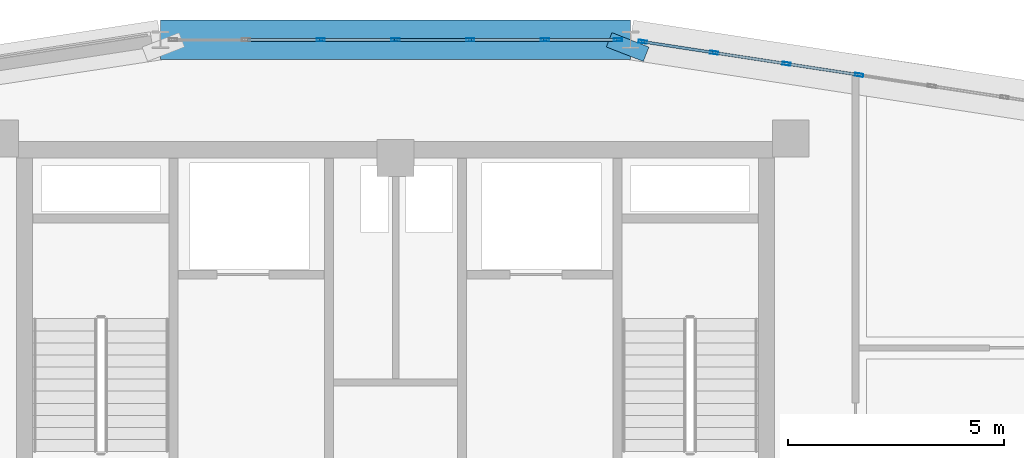
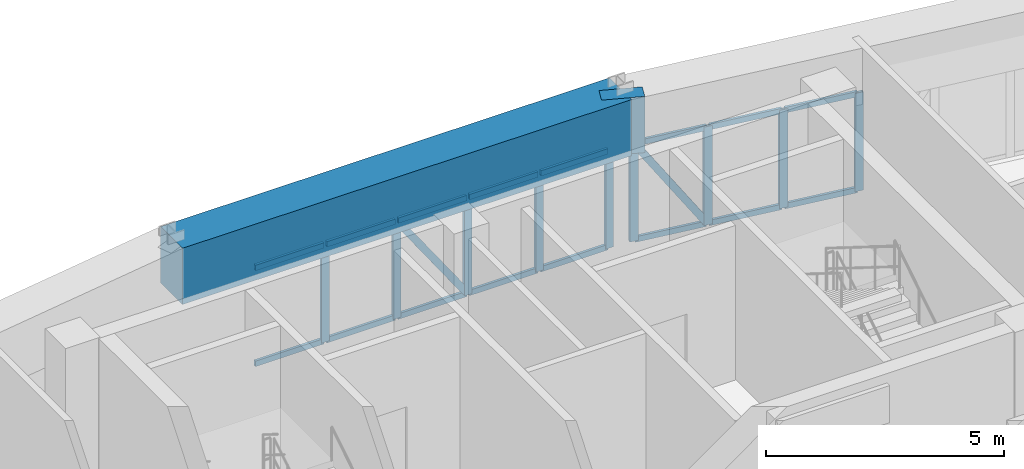
# One storey, part 9 of 16: 27 members, 2 beams, 2 elements without a shape of their own.
"""IFC4 building model written with IfcOpenShell, lengths in metres."""

from ifc_helpers import new_model, si_unit, derived_unit, direction, frame, origin, origin_2d, place, context, subcontext, project, spatial, rectangle, hollow_rectangle, extrude, source, transform, mapped, material, layer, layer_set, material_profile, profile_set, type_object, element, aggregate, save


model = new_model("IFC4")

# Units and contexts
model_context = context("Model", 3, precision=1e-05, world=origin(), true_north=direction((0.0, 1.0)))
body_context = subcontext(model_context, "Body", "Model", "MODEL_VIEW")
ifc_project = project(units=[si_unit("LENGTHUNIT", "METRE"), si_unit("AREAUNIT", "SQUARE_METRE"), si_unit("VOLUMEUNIT", "CUBIC_METRE"), si_unit("PLANEANGLEUNIT", "RADIAN"), si_unit("MASSUNIT", "GRAM", prefix="KILO"), derived_unit("THERMALTRANSMITTANCEUNIT", [(si_unit("POWERUNIT", "WATT"), 1), (si_unit("LENGTHUNIT", "METRE"), -2), (si_unit("THERMODYNAMICTEMPERATUREUNIT", "KELVIN"), -1)])], contexts=[model_context])

# Site, building, storey
site_placement = place(None, origin())
site = spatial("IfcSite", under=ifc_project, at=site_placement, CompositionType="ELEMENT")
building_placement = place(site_placement, origin())
building = spatial("IfcBuilding", under=site, at=building_placement, Name="Korsvarv Bourse and Concert Hall", CompositionType="ELEMENT")
storey_placement = place(building_placement, frame((0.0, 0.0, 283.800048828125)))
storey = spatial("IfcBuildingStorey", under=building, at=storey_placement, Name="L74", CompositionType="ELEMENT", Elevation=283.800048828125)

# Beams
ifc_material_1 = material(Name="Concrete C50/60", Category="concrete")
ifc_material_profile_1 = material_profile(ifc_material_1, rectangle(XDim=0.919921875, YDim=1.43994140625, at=origin_2d()), Name="RC-BM 920x1440")
ifc_profile_set_1 = profile_set([ifc_material_profile_1], Name="Concrete C50/60")
beam_type = type_object("IfcBeamType", Name="BM-TR-144", PredefinedType="BEAM", material=ifc_profile_set_1)
shared_shape_1 = source(origin(), body_context, "Body", "SweptSolid", [
    extrude(rectangle(XDim=0.919921875, YDim=1.43994140625, at=origin_2d()), origin(), (0.0, 0.0, 1.0), 0.356201171875),
])
beam_1_placement = place(storey_placement, frame((41.43994140625, 49.535888671875, 3.239990234375), z_axis=(-0.363934146946, -0.931424681167, 0.0), x_axis=(0.931424681167, -0.363934146946, 0.0)))
element("IfcBeam", 1, at=beam_1_placement, inside=storey, type_object=beam_type, Name="L74 beam B-TR4", PredefinedType="BEAM", context=body_context, shape_type="MappedRepresentation", body=[
    mapped(shared_shape_1, transform((0.0, 0.0, 0.0), scale=1.0)),
])
shared_shape_2 = source(origin(), body_context, "Body", "SweptSolid", [
    extrude(rectangle(XDim=0.919921875, YDim=1.43994140625, at=origin_2d()), origin(), (0.0, 0.0, 1.0), 10.8798828125),
])
beam_2_placement = place(storey_placement, frame((41.43994140625, 49.535888671875, 3.239990234375), z_axis=(-1.0, 0.0, 0.0), x_axis=(0.0, -1.0, 0.0)))
element("IfcBeam", 2, at=beam_2_placement, inside=storey, type_object=beam_type, Name="L74 beam B-TR4", PredefinedType="BEAM", context=body_context, shape_type="MappedRepresentation", body=[
    mapped(shared_shape_2, transform((0.0, 0.0, 0.0), scale=1.0)),
])

# Curtain wall, members
ifc_material_2 = material(Name="Anodised aluminium and triple low-E glazing", Category="glass")
ifc_layer = layer(ifc_material_2, 0.18994140625)
ifc_layer_set = layer_set([ifc_layer], Name="Anodised aluminium and triple low-E glazing")
curtain_wall_type = type_object("IfcCurtainWallType", Name="CW-SYS-4", PredefinedType="NOTDEFINED", material=ifc_layer_set)
curtain_wall_1_placement = place(storey_placement, origin())
curtain_wall_1 = element("IfcCurtainWall", 3, at=curtain_wall_1_placement, inside=storey, type_object=curtain_wall_type, Name="L74 CW4 curtain wall CW-L74-F02", PredefinedType="NOTDEFINED")
ifc_material_3 = material(Name="Extruded aluminium EN AW-6063 T66", Category="aluminium")
ifc_material_profile_2 = material_profile(ifc_material_3, hollow_rectangle(XDim=0.070068359375, YDim=0.18994140625, WallThickness=0.0048828125, at=origin_2d()), Name="ALU-M 70x190")
ifc_profile_set_2 = profile_set([ifc_material_profile_2], Name="Extruded aluminium EN AW-6063 T66")
member_type_1 = type_object("IfcMemberType", Name="CWM-190", PredefinedType="MULLION", material=ifc_profile_set_2)
shared_shape_3 = source(origin(), body_context, "Body", "SweptSolid", [
    extrude(hollow_rectangle(XDim=0.070068359375, YDim=0.18994140625, WallThickness=0.0048828125, at=origin_2d()), origin(), (0.0, 0.0, 1.0), 2.52001953125),
])
member_1_placement = place(storey_placement, frame((46.73583984375, 48.723388671875, 0.0), z_axis=(0.0, 0.0, 1.0), x_axis=(-0.151630675756, -0.988437220146, 0.0)))
member_1 = element("IfcMember", 4, at=member_1_placement, type_object=member_type_1, Name="CW4 mullion 5", PredefinedType="MULLION", context=body_context, shape_type="MappedRepresentation", body=[
    mapped(shared_shape_3, transform((0.0, 0.0, 0.0), scale=1.0)),
])
member_2_placement = place(storey_placement, frame((45.053955078125, 48.9814453125, 0.0), z_axis=(0.0, 0.0, 1.0), x_axis=(-0.151630675756, -0.988437220146, 0.0)))
member_2 = element("IfcMember", 5, at=member_2_placement, type_object=member_type_1, Name="CW4 mullion 6", PredefinedType="MULLION", context=body_context, shape_type="MappedRepresentation", body=[
    mapped(shared_shape_3, transform((0.0, 0.0, 0.0), scale=1.0)),
])
member_3_placement = place(storey_placement, frame((43.372314453125, 49.239501953125, 0.0), z_axis=(0.0, 0.0, 1.0), x_axis=(-0.151630675756, -0.988437220146, 0.0)))
member_3 = element("IfcMember", 6, at=member_3_placement, type_object=member_type_1, Name="CW4 mullion 7", PredefinedType="MULLION", context=body_context, shape_type="MappedRepresentation", body=[
    mapped(shared_shape_3, transform((0.0, 0.0, 0.0), scale=1.0)),
])
member_4_placement = place(storey_placement, frame((41.72509765625, 49.4921875, 0.0), z_axis=(0.0, 0.0, 1.0), x_axis=(-0.151630675756, -0.988437220146, 0.0)))
member_4 = element("IfcMember", 7, at=member_4_placement, type_object=member_type_1, Name="CW4 mullion 8", PredefinedType="MULLION", context=body_context, shape_type="MappedRepresentation", body=[
    mapped(shared_shape_3, transform((0.0, 0.0, 0.0), scale=1.0)),
])

curtain_wall_2_placement = place(storey_placement, origin())
curtain_wall_2 = element("IfcCurtainWall", 8, at=curtain_wall_2_placement, inside=storey, type_object=curtain_wall_type, Name="L74 CW4 curtain wall CW-L74-F03", PredefinedType="NOTDEFINED")
member_5_placement = place(storey_placement, frame((41.154296875, 49.535888671875, 0.0), z_axis=(0.0, 0.0, 1.0), x_axis=(0.0, -1.0, 0.0)))
member_5 = element("IfcMember", 9, at=member_5_placement, type_object=member_type_1, Name="CW4 mullion 1", PredefinedType="MULLION", context=body_context, shape_type="MappedRepresentation", body=[
    mapped(shared_shape_3, transform((0.0, 0.0, 0.0), scale=1.0)),
])
member_6_placement = place(storey_placement, frame((39.459716796875, 49.535888671875, 0.0), z_axis=(0.0, 0.0, 1.0), x_axis=(0.0, -1.0, 0.0)))
member_6 = element("IfcMember", 10, at=member_6_placement, type_object=member_type_1, Name="CW4 mullion 2", PredefinedType="MULLION", context=body_context, shape_type="MappedRepresentation", body=[
    mapped(shared_shape_3, transform((0.0, 0.0, 0.0), scale=1.0)),
])
member_7_placement = place(storey_placement, frame((37.729736328125, 49.535888671875, 0.0), z_axis=(0.0, 0.0, 1.0), x_axis=(0.0, -1.0, 0.0)))
member_7 = element("IfcMember", 11, at=member_7_placement, type_object=member_type_1, Name="CW4 mullion 3", PredefinedType="MULLION", context=body_context, shape_type="MappedRepresentation", body=[
    mapped(shared_shape_3, transform((0.0, 0.0, 0.0), scale=1.0)),
])
member_8_placement = place(storey_placement, frame((36.0, 49.535888671875, 0.0), z_axis=(0.0, 0.0, 1.0), x_axis=(0.0, -1.0, 0.0)))
member_8 = element("IfcMember", 12, at=member_8_placement, type_object=member_type_1, Name="CW4 mullion 4", PredefinedType="MULLION", context=body_context, shape_type="MappedRepresentation", body=[
    mapped(shared_shape_3, transform((0.0, 0.0, 0.0), scale=1.0)),
])
member_9_placement = place(storey_placement, frame((34.270263671875, 49.535888671875, 0.0), z_axis=(0.0, 0.0, 1.0), x_axis=(0.0, -1.0, 0.0)))
member_9 = element("IfcMember", 13, at=member_9_placement, type_object=member_type_1, Name="CW4 mullion 5", PredefinedType="MULLION", context=body_context, shape_type="MappedRepresentation", body=[
    mapped(shared_shape_3, transform((0.0, 0.0, 0.0), scale=1.0)),
])

# Member
ifc_material_profile_3 = material_profile(ifc_material_3, hollow_rectangle(XDim=0.06494140625, YDim=0.139892578125, WallThickness=0.00390625, at=origin_2d()), Name="ALU-T 65x140")
ifc_profile_set_3 = profile_set([ifc_material_profile_3], Name="Extruded aluminium EN AW-6063 T66")
member_type_2 = type_object("IfcMemberType", Name="CWT-140", PredefinedType="USERDEFINED", material=ifc_profile_set_3)
shared_shape_4 = source(origin(), body_context, "Body", "SweptSolid", [
    extrude(hollow_rectangle(XDim=0.06494140625, YDim=0.139892578125, WallThickness=0.00390625, at=origin_2d()), origin(), (0.0, 0.0, 1.0), 1.5966796875),
])
member_10_placement = place(storey_placement, frame((43.337646484375, 49.244873046875, 0.032470703125), z_axis=(-0.988451114233, 0.151540076455, 0.0), x_axis=(-0.151540076455, -0.988451114233, 0.0)))
member_10 = element("IfcMember", 14, at=member_10_placement, type_object=member_type_2, Name="CW4 transom 7.1", ObjectType="TRANSOM", PredefinedType="USERDEFINED", context=body_context, shape_type="MappedRepresentation", body=[
    mapped(shared_shape_4, transform((0.0, 0.0, 0.0), scale=1.0)),
])

member_11_placement = place(storey_placement, frame((43.337646484375, 49.244873046875, 2.487548828125), z_axis=(-0.988451114233, 0.151540076455, 0.0), x_axis=(-0.151540076455, -0.988451114233, 0.0)))
member_11 = element("IfcMember", 15, at=member_11_placement, type_object=member_type_2, Name="CW4 transom 7.2", ObjectType="TRANSOM", PredefinedType="USERDEFINED", context=body_context, shape_type="MappedRepresentation", body=[
    mapped(shared_shape_4, transform((0.0, 0.0, 0.0), scale=1.0)),
])

ifc_material_profile_4 = material_profile(ifc_material_3, hollow_rectangle(XDim=0.06494140625, YDim=0.1650390625, WallThickness=0.0048828125, at=origin_2d()), Name="ALU-M 65x165")
ifc_profile_set_4 = profile_set([ifc_material_profile_4], Name="Extruded aluminium EN AW-6063 T66")
member_type_3 = type_object("IfcMemberType", Name="CWM-165", PredefinedType="MULLION", material=ifc_profile_set_4)
shared_shape_5 = source(origin(), body_context, "Body", "SweptSolid", [
    extrude(hollow_rectangle(XDim=0.06494140625, YDim=0.1650390625, WallThickness=0.0048828125, at=origin_2d()), origin(), (0.0, 0.0, 1.0), 2.8740234375),
])
member_12_placement = place(storey_placement, frame((43.337646484375, 49.244873046875, 0.06494140625), z_axis=(-0.54907991806, 0.084179795606, 0.831519696456), x_axis=(-0.151540076455, -0.988451114233, 0.0)))
member_12 = element("IfcMember", 16, at=member_12_placement, type_object=member_type_3, Name="CW4 diagonal mullion 7", PredefinedType="MULLION", context=body_context, shape_type="MappedRepresentation", body=[
    mapped(shared_shape_5, transform((0.0, 0.0, 0.0), scale=1.0)),
])

shared_shape_6 = source(origin(), body_context, "Body", "SweptSolid", [
    extrude(hollow_rectangle(XDim=0.06494140625, YDim=0.139892578125, WallThickness=0.00390625, at=origin_2d()), origin(), (0.0, 0.0, 1.0), 1.631591796875),
])
member_13_placement = place(storey_placement, frame((45.01953125, 48.98681640625, 0.032470703125), z_axis=(-0.988445961203, 0.151573684332, 0.0), x_axis=(-0.151573684332, -0.988445961203, 0.0)))
member_13 = element("IfcMember", 17, at=member_13_placement, type_object=member_type_2, Name="CW4 transom 6.1", ObjectType="TRANSOM", PredefinedType="USERDEFINED", context=body_context, shape_type="MappedRepresentation", body=[
    mapped(shared_shape_6, transform((0.0, 0.0, 0.0), scale=1.0)),
])

member_14_placement = place(storey_placement, frame((45.01953125, 48.98681640625, 2.487548828125), z_axis=(-0.988445961203, 0.151573684332, 0.0), x_axis=(-0.151573684332, -0.988445961203, 0.0)))
member_14 = element("IfcMember", 18, at=member_14_placement, type_object=member_type_2, Name="CW4 transom 6.2", ObjectType="TRANSOM", PredefinedType="USERDEFINED", context=body_context, shape_type="MappedRepresentation", body=[
    mapped(shared_shape_6, transform((0.0, 0.0, 0.0), scale=1.0)),
])

shared_shape_7 = source(origin(), body_context, "Body", "SweptSolid", [
    extrude(hollow_rectangle(XDim=0.06494140625, YDim=0.139892578125, WallThickness=0.00390625, at=origin_2d()), origin(), (0.0, 0.0, 1.0), 1.63134765625),
])
member_15_placement = place(storey_placement, frame((46.701171875, 48.728759765625, 0.032470703125), z_axis=(-0.988442522787, 0.151596105312, 0.0), x_axis=(-0.151596105312, -0.988442522787, 0.0)))
member_15 = element("IfcMember", 19, at=member_15_placement, type_object=member_type_2, Name="CW4 transom 5.1", ObjectType="TRANSOM", PredefinedType="USERDEFINED", context=body_context, shape_type="MappedRepresentation", body=[
    mapped(shared_shape_7, transform((0.0, 0.0, 0.0), scale=1.0)),
])

member_16_placement = place(storey_placement, frame((46.701171875, 48.728759765625, 2.487548828125), z_axis=(-0.988442522787, 0.151596105312, 0.0), x_axis=(-0.151596105312, -0.988442522787, 0.0)))
member_16 = element("IfcMember", 20, at=member_16_placement, type_object=member_type_2, Name="CW4 transom 5.2", ObjectType="TRANSOM", PredefinedType="USERDEFINED", context=body_context, shape_type="MappedRepresentation", body=[
    mapped(shared_shape_7, transform((0.0, 0.0, 0.0), scale=1.0)),
])

aggregate(curtain_wall_1, [member_1, member_2, member_3, member_4, member_15, member_16, member_13, member_14, member_10, member_11, member_12])

shared_shape_8 = source(origin(), body_context, "Body", "SweptSolid", [
    extrude(hollow_rectangle(XDim=0.06494140625, YDim=0.139892578125, WallThickness=0.00390625, at=origin_2d()), origin(), (0.0, 0.0, 1.0), 1.624755859375),
])
member_17_placement = place(storey_placement, frame((41.119384765625, 49.535888671875, 0.032470703125), z_axis=(-1.0, 0.0, 0.0), x_axis=(0.0, -1.0, 0.0)))
member_17 = element("IfcMember", 21, at=member_17_placement, type_object=member_type_2, Name="CW4 transom 1.1", ObjectType="TRANSOM", PredefinedType="USERDEFINED", context=body_context, shape_type="MappedRepresentation", body=[
    mapped(shared_shape_8, transform((0.0, 0.0, 0.0), scale=1.0)),
])

member_18_placement = place(storey_placement, frame((41.119384765625, 49.535888671875, 2.487548828125), z_axis=(-1.0, 0.0, 0.0), x_axis=(0.0, -1.0, 0.0)))
member_18 = element("IfcMember", 22, at=member_18_placement, type_object=member_type_2, Name="CW4 transom 1.2", ObjectType="TRANSOM", PredefinedType="USERDEFINED", context=body_context, shape_type="MappedRepresentation", body=[
    mapped(shared_shape_8, transform((0.0, 0.0, 0.0), scale=1.0)),
])

shared_shape_9 = source(origin(), body_context, "Body", "SweptSolid", [
    extrude(hollow_rectangle(XDim=0.06494140625, YDim=0.139892578125, WallThickness=0.00390625, at=origin_2d()), origin(), (0.0, 0.0, 1.0), 1.65966796875),
])
member_19_placement = place(storey_placement, frame((39.424560546875, 49.535888671875, 0.032470703125), z_axis=(-1.0, 0.0, 0.0), x_axis=(0.0, -1.0, 0.0)))
member_19 = element("IfcMember", 23, at=member_19_placement, type_object=member_type_2, Name="CW4 transom 2.1", ObjectType="TRANSOM", PredefinedType="USERDEFINED", context=body_context, shape_type="MappedRepresentation", body=[
    mapped(shared_shape_9, transform((0.0, 0.0, 0.0), scale=1.0)),
])

member_20_placement = place(storey_placement, frame((39.424560546875, 49.535888671875, 2.487548828125), z_axis=(-1.0, 0.0, 0.0), x_axis=(0.0, -1.0, 0.0)))
member_20 = element("IfcMember", 24, at=member_20_placement, type_object=member_type_2, Name="CW4 transom 2.2", ObjectType="TRANSOM", PredefinedType="USERDEFINED", context=body_context, shape_type="MappedRepresentation", body=[
    mapped(shared_shape_9, transform((0.0, 0.0, 0.0), scale=1.0)),
])

member_21_placement = place(storey_placement, frame((34.235107421875, 49.535888671875, 0.032470703125), z_axis=(-1.0, 0.0, 0.0), x_axis=(0.0, -1.0, 0.0)))
member_21 = element("IfcMember", 25, at=member_21_placement, type_object=member_type_2, Name="CW4 transom 5.1", ObjectType="TRANSOM", PredefinedType="USERDEFINED", context=body_context, shape_type="MappedRepresentation", body=[
    mapped(shared_shape_9, transform((0.0, 0.0, 0.0), scale=1.0)),
])

member_22_placement = place(storey_placement, frame((34.235107421875, 49.535888671875, 2.487548828125), z_axis=(-1.0, 0.0, 0.0), x_axis=(0.0, -1.0, 0.0)))
member_22 = element("IfcMember", 26, at=member_22_placement, type_object=member_type_2, Name="CW4 transom 5.2", ObjectType="TRANSOM", PredefinedType="USERDEFINED", context=body_context, shape_type="MappedRepresentation", body=[
    mapped(shared_shape_9, transform((0.0, 0.0, 0.0), scale=1.0)),
])

shared_shape_10 = source(origin(), body_context, "Body", "SweptSolid", [
    extrude(hollow_rectangle(XDim=0.06494140625, YDim=0.139892578125, WallThickness=0.00390625, at=origin_2d()), origin(), (0.0, 0.0, 1.0), 1.659912109375),
])
member_23_placement = place(storey_placement, frame((37.69482421875, 49.535888671875, 0.032470703125), z_axis=(-1.0, 0.0, 0.0), x_axis=(0.0, -1.0, 0.0)))
member_23 = element("IfcMember", 27, at=member_23_placement, type_object=member_type_2, Name="CW4 transom 3.1", ObjectType="TRANSOM", PredefinedType="USERDEFINED", context=body_context, shape_type="MappedRepresentation", body=[
    mapped(shared_shape_10, transform((0.0, 0.0, 0.0), scale=1.0)),
])

member_24_placement = place(storey_placement, frame((37.69482421875, 49.535888671875, 2.487548828125), z_axis=(-1.0, 0.0, 0.0), x_axis=(0.0, -1.0, 0.0)))
member_24 = element("IfcMember", 28, at=member_24_placement, type_object=member_type_2, Name="CW4 transom 3.2", ObjectType="TRANSOM", PredefinedType="USERDEFINED", context=body_context, shape_type="MappedRepresentation", body=[
    mapped(shared_shape_10, transform((0.0, 0.0, 0.0), scale=1.0)),
])

member_25_placement = place(storey_placement, frame((35.965087890625, 49.535888671875, 0.032470703125), z_axis=(-1.0, 0.0, 0.0), x_axis=(0.0, -1.0, 0.0)))
member_25 = element("IfcMember", 29, at=member_25_placement, type_object=member_type_2, Name="CW4 transom 4.1", ObjectType="TRANSOM", PredefinedType="USERDEFINED", context=body_context, shape_type="MappedRepresentation", body=[
    mapped(shared_shape_10, transform((0.0, 0.0, 0.0), scale=1.0)),
])

member_26_placement = place(storey_placement, frame((35.965087890625, 49.535888671875, 2.487548828125), z_axis=(-1.0, 0.0, 0.0), x_axis=(0.0, -1.0, 0.0)))
member_26 = element("IfcMember", 30, at=member_26_placement, type_object=member_type_2, Name="CW4 transom 4.2", ObjectType="TRANSOM", PredefinedType="USERDEFINED", context=body_context, shape_type="MappedRepresentation", body=[
    mapped(shared_shape_10, transform((0.0, 0.0, 0.0), scale=1.0)),
])

shared_shape_11 = source(origin(), body_context, "Body", "SweptSolid", [
    extrude(hollow_rectangle(XDim=0.06494140625, YDim=0.1650390625, WallThickness=0.0048828125, at=origin_2d()), origin(), (0.0, 0.0, 1.0), 2.909912109375),
])
member_27_placement = place(storey_placement, frame((37.69482421875, 49.535888671875, 0.06494140625), z_axis=(-0.570457130104, 0.0, 0.821327378524), x_axis=(0.0, -1.0, 0.0)))
member_27 = element("IfcMember", 31, at=member_27_placement, type_object=member_type_3, Name="CW4 diagonal mullion 3", PredefinedType="MULLION", context=body_context, shape_type="MappedRepresentation", body=[
    mapped(shared_shape_11, transform((0.0, 0.0, 0.0), scale=1.0)),
])

aggregate(curtain_wall_2, [member_5, member_6, member_7, member_8, member_9, member_17, member_18, member_19, member_20, member_23, member_24, member_27, member_25, member_26, member_21, member_22])

save(model, "model.ifc")
